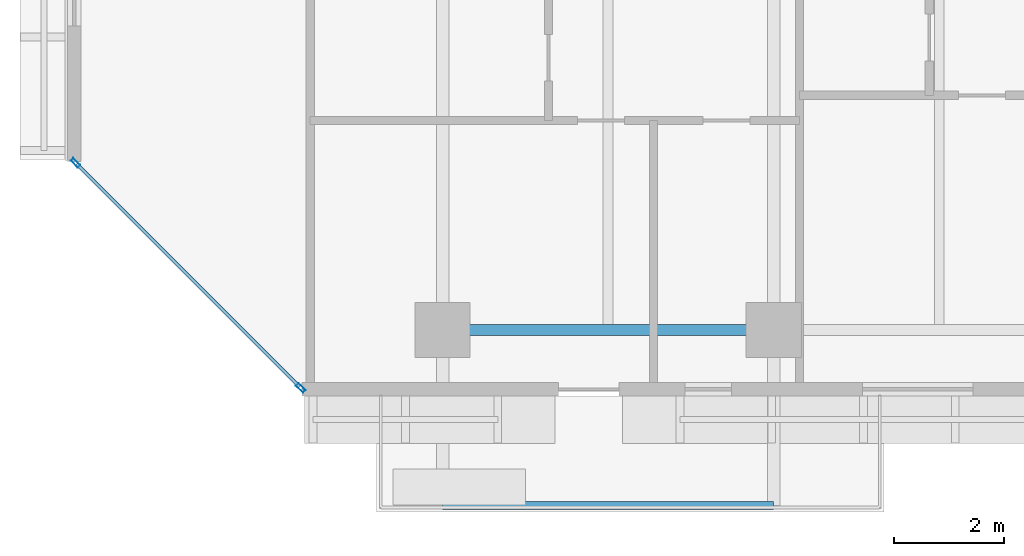
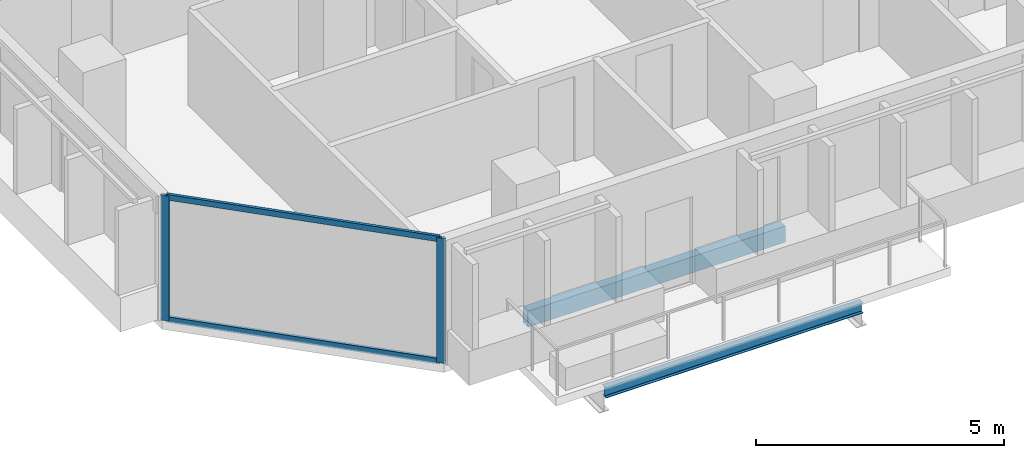
# One storey, part 2 of 35: 4 members, 2 beams, 1 element without a shape of its own.
"""IFC4 building model written with IfcOpenShell, lengths in metres."""

from ifc_helpers import new_model, si_unit, direction, frame, origin, origin_2d, place, context, subcontext, project, spatial, hollow_rectangle, i_section, extrude, material, layer, layer_set, material_profile, profile_set, type_object, element, aggregate, save


model = new_model("IFC4")

# Units and contexts
model_context = context("Model", 3, precision=1e-05, world=origin(), true_north=direction((0.0, 1.0)))
body_context = subcontext(model_context, "Body", "Model", "MODEL_VIEW")
ifc_project = project(units=[si_unit("LENGTHUNIT", "METRE"), si_unit("AREAUNIT", "SQUARE_METRE"), si_unit("VOLUMEUNIT", "CUBIC_METRE"), si_unit("PLANEANGLEUNIT", "RADIAN"), si_unit("MASSUNIT", "GRAM", prefix="KILO")], contexts=[model_context])

# Site, building, storey
site_placement = place(None, origin())
site = spatial("IfcSite", under=ifc_project, at=site_placement, CompositionType="ELEMENT")
building_placement = place(site_placement, origin())
building = spatial("IfcBuilding", under=site, at=building_placement, Name="Tanjung Sevakor Pilgrim Tower", CompositionType="ELEMENT")
storey_placement = place(building_placement, frame((0.0, 0.0, 92.070068359375)))
storey = spatial("IfcBuildingStorey", under=building, at=storey_placement, Name="L25", CompositionType="ELEMENT", Elevation=92.070068359375)

# Beams
ifc_material_1 = material(Name="Steel S355J2", Category="steel")
ifc_material_profile_1 = material_profile(ifc_material_1, i_section(OverallWidth=0.146484375, OverallDepth=0.256103515625, WebThickness=0.00634765625, FlangeThickness=0.010986328125, FilletRadius=0.007568359375, at=origin_2d()))
ifc_profile_set_1 = profile_set([ifc_material_profile_1], Name="Steel S355J2")
beam_type_1 = type_object("IfcBeamType", Name="BM-B-J6-UB_254x146x37", PredefinedType="JOIST", material=ifc_profile_set_1)
beam_1_placement = place(storey_placement, frame((24.0, 7.6201171875, -0.328125), z_axis=(1.0, 0.0, 0.0), x_axis=(0.0, 1.0, 0.0)))
element("IfcBeam", 1, at=beam_1_placement, inside=storey, type_object=beam_type_1, Name="L25 Balcony Rim Tie MAIN-S1", PredefinedType="JOIST", context=body_context, shape_type="SweptSolid", body=[
    extrude(i_section(OverallWidth=0.146484375, OverallDepth=0.256103515625, WebThickness=0.00634765625, FlangeThickness=0.010986328125, FilletRadius=0.007568359375, at=origin_2d()), origin(), (0.0, 0.0, 1.0), 6.0),
])
ifc_material_2 = material(Name="Steel S355J2", Category="steel")
ifc_material_profile_2 = material_profile(ifc_material_2, hollow_rectangle(XDim=0.199951171875, YDim=0.39990234375, WallThickness=0.01611328125, at=origin_2d()))
ifc_profile_set_2 = profile_set([ifc_material_profile_2], Name="Steel S355J2")
beam_type_2 = type_object("IfcBeamType", Name="BM-B-SP2-RHS_400x200x16", PredefinedType="SPANDREL", material=ifc_profile_set_2)
beam_2_placement = place(storey_placement, frame((24.0, 10.800048828125, -0.420166015625), z_axis=(1.0, 0.0, 0.0), x_axis=(0.0, 1.0, 0.0)))
element("IfcBeam", 2, at=beam_2_placement, inside=storey, type_object=beam_type_2, Name="L25 Spandrel MAIN S-01", PredefinedType="SPANDREL", context=body_context, shape_type="SweptSolid", body=[
    extrude(hollow_rectangle(XDim=0.199951171875, YDim=0.39990234375, WallThickness=0.01611328125, at=origin_2d()), origin(), (0.0, 0.0, 1.0), 6.0),
])

# Curtain wall, members
ifc_material_3 = material(Name="Aluminium 6063-T6 and Low-E Glass", Category="aluminium")
ifc_layer = layer(ifc_material_3, 0.179931640625)
ifc_layer_set = layer_set([ifc_layer], Name="CW-SYS-CHAM")
curtain_wall_type = type_object("IfcCurtainWallType", Name="CW-SYS-CHAM", PredefinedType="NOTDEFINED", material=ifc_layer_set)
curtain_wall_placement = place(storey_placement, origin())
curtain_wall = element("IfcCurtainWall", 3, at=curtain_wall_placement, inside=storey, type_object=curtain_wall_type, Name="L25 Curtain Wall CW-CHM-L25-MAIN-15", PredefinedType="NOTDEFINED")
ifc_material_4 = material(Name="Aluminium 6063-T6", Category="aluminium")
ifc_material_profile_3 = material_profile(ifc_material_4, hollow_rectangle(XDim=0.06494140625, YDim=0.179931640625, WallThickness=0.00390625, at=origin_2d()))
ifc_profile_set_3 = profile_set([ifc_material_profile_3], Name="Aluminium 6063-T6")
member_type_1 = type_object("IfcMemberType", Name="TYPE-CWM-1", PredefinedType="MULLION", material=ifc_profile_set_3)
member_1_placement = place(storey_placement, frame((17.347900390625, 13.828857421875, 0.0), z_axis=(0.0, 0.0, 1.0), x_axis=(0.707106781187, 0.707106781187, 0.0)))
member_1 = element("IfcMember", 4, at=member_1_placement, type_object=member_type_1, Name="CW-CHM mullion 1", PredefinedType="MULLION", context=body_context, shape_type="SweptSolid", body=[
    extrude(hollow_rectangle(XDim=0.06494140625, YDim=0.179931640625, WallThickness=0.00390625, at=origin_2d()), origin(), (0.0, 0.0, 1.0), 3.079833984375),
])
member_2_placement = place(storey_placement, frame((21.4287109375, 9.748046875, 0.0), z_axis=(0.0, 0.0, 1.0), x_axis=(0.707106781187, 0.707106781187, 0.0)))
member_2 = element("IfcMember", 5, at=member_2_placement, type_object=member_type_1, Name="CW-CHM mullion 2", PredefinedType="MULLION", context=body_context, shape_type="SweptSolid", body=[
    extrude(hollow_rectangle(XDim=0.06494140625, YDim=0.179931640625, WallThickness=0.00390625, at=origin_2d()), origin(), (0.0, 0.0, 1.0), 3.079833984375),
])
ifc_material_5 = material(Name="Aluminium 6063-T6", Category="aluminium")
ifc_material_profile_4 = material_profile(ifc_material_5, hollow_rectangle(XDim=0.06494140625, YDim=0.139892578125, WallThickness=0.00390625, at=origin_2d()))
ifc_profile_set_4 = profile_set([ifc_material_profile_4], Name="Aluminium 6063-T6")
member_type_2 = type_object("IfcMemberType", Name="TYPE-CWT-1", PredefinedType="USERDEFINED", material=ifc_profile_set_4)
member_3_placement = place(storey_placement, frame((17.370849609375, 13.805908203125, 0.032470703125), z_axis=(0.707106781187, -0.707106781187, 0.0), x_axis=(0.707106781187, 0.707106781187, 0.0)))
member_3 = element("IfcMember", 6, at=member_3_placement, type_object=member_type_2, Name="CW-CHM transom 1.1", ObjectType="TRANSOM", PredefinedType="USERDEFINED", context=body_context, shape_type="SweptSolid", body=[
    extrude(hollow_rectangle(XDim=0.06494140625, YDim=0.139892578125, WallThickness=0.00390625, at=origin_2d()), origin(), (0.0, 0.0, 1.0), 5.706298828125),
])
member_4_placement = place(storey_placement, frame((17.370849609375, 13.805908203125, 3.04736328125), z_axis=(0.707106781187, -0.707106781187, 0.0), x_axis=(0.707106781187, 0.707106781187, 0.0)))
member_4 = element("IfcMember", 7, at=member_4_placement, type_object=member_type_2, Name="CW-CHM transom 1.2", ObjectType="TRANSOM", PredefinedType="USERDEFINED", context=body_context, shape_type="SweptSolid", body=[
    extrude(hollow_rectangle(XDim=0.06494140625, YDim=0.139892578125, WallThickness=0.00390625, at=origin_2d()), origin(), (0.0, 0.0, 1.0), 5.706298828125),
])
aggregate(curtain_wall, [member_1, member_2, member_3, member_4])

save(model, "model.ifc")
